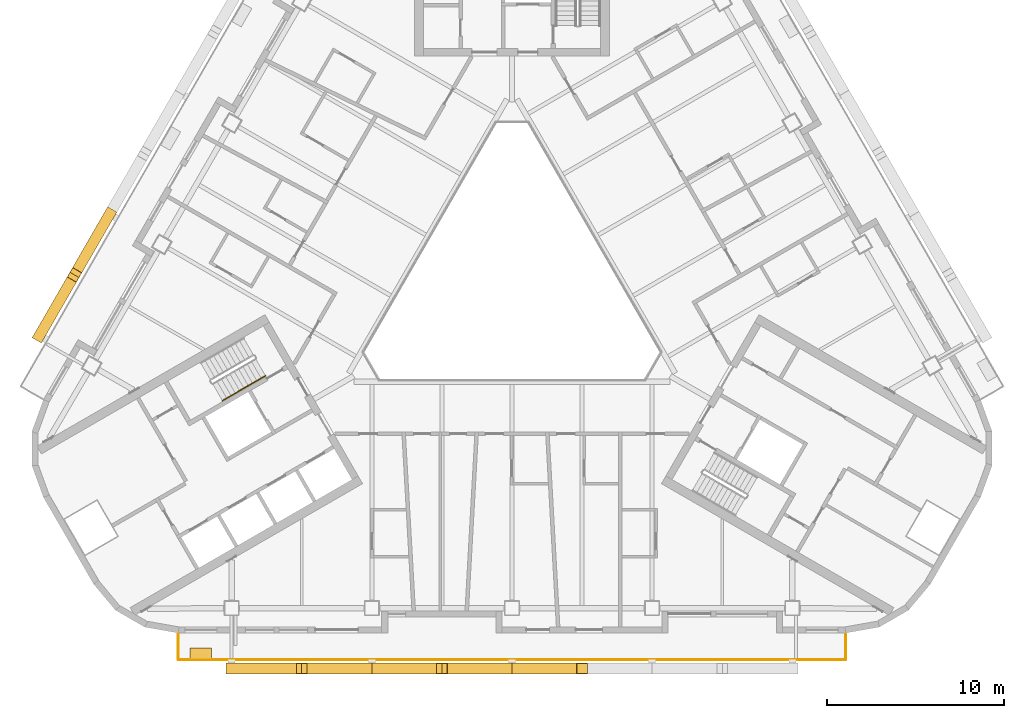
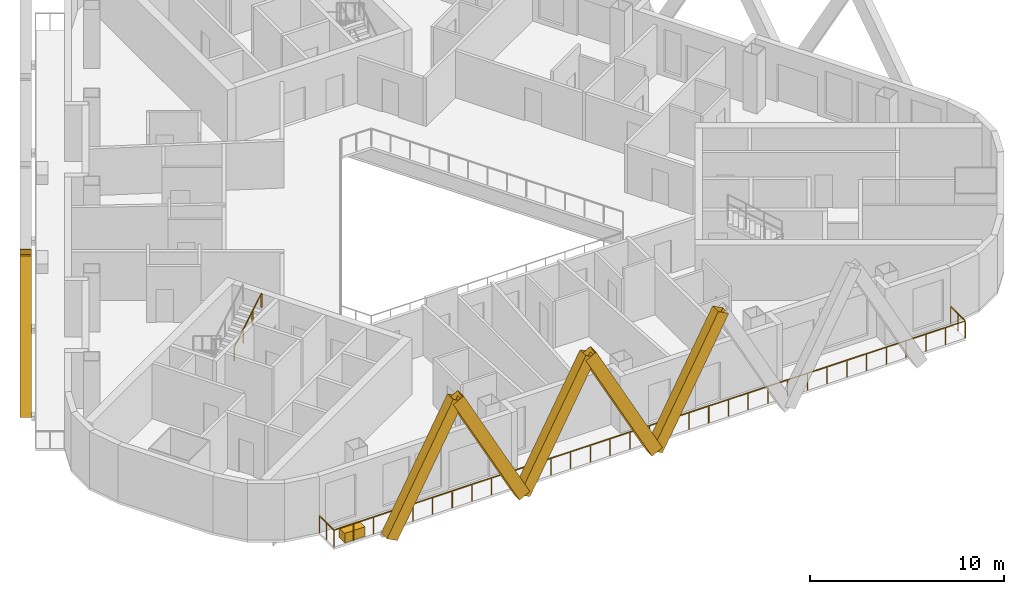
# One storey, part 12 of 17: 7 shading devices, 2 railings, 1 covering.
"""IFC4 building model written with IfcOpenShell, lengths in metres."""

from ifc_helpers import new_model, si_unit, direction, frame, origin, origin_2d, place, context, subcontext, project, spatial, rectangle, hollow_rectangle, circle, extrude, material, material_profile, profile_set, type_object, element, save


model = new_model("IFC4")

# Units and contexts
model_context = context("Model", 3, precision=1e-05, world=origin(), true_north=direction((0.0, 1.0)))
body_context = subcontext(model_context, "Body", "Model", "MODEL_VIEW")
ifc_project = project(units=[si_unit("LENGTHUNIT", "METRE"), si_unit("AREAUNIT", "SQUARE_METRE"), si_unit("VOLUMEUNIT", "CUBIC_METRE"), si_unit("PLANEANGLEUNIT", "RADIAN"), si_unit("MASSUNIT", "GRAM", prefix="KILO")], contexts=[model_context])

# Site, building, storey
site_placement = place(None, origin())
site = spatial("IfcSite", under=ifc_project, at=site_placement, CompositionType="ELEMENT")
building_placement = place(site_placement, origin())
building = spatial("IfcBuilding", under=site, at=building_placement, Name="Apuvela Tower Hotel", CompositionType="ELEMENT")
storey_placement = place(building_placement, frame((0.0, 0.0, 146.60009765625)))
storey = spatial("IfcBuildingStorey", under=building, at=storey_placement, Name="L34", CompositionType="ELEMENT", Elevation=146.60009765625)

# Railing
ifc_material_1 = material(Name="Stainless steel 316 handrail", Category="steel")
railing_type_1 = type_object("IfcRailingType", Name="COR-HANDRAIL-900", PredefinedType="HANDRAIL", material=ifc_material_1)
railing_1_placement = place(storey_placement, frame((-16.31884765625, -6.534912109375, 2.01806640625)))
element("IfcRailing", 1, at=railing_1_placement, inside=storey, type_object=railing_type_1, Name="L34 ST2 stair handrail 2", PredefinedType="HANDRAIL", context=body_context, shape_type="SweptSolid", body=[
    extrude(circle(Radius=0.02392578125, at=origin_2d()), frame((0.0, 0.0, 0.8759765625), z_axis=(0.742390482028, 0.42860119049, 0.514934356695), x_axis=(-0.49998411664, 0.866034573852, 0.0)), (0.0, 0.0, 1.0), 3.26611328125),
    extrude(rectangle(XDim=0.0419921875, YDim=0.0419921875, at=origin_2d()), origin(), (0.0, 0.0, 1.0), 0.851806640625),
    extrude(rectangle(XDim=0.0419921875, YDim=0.0419921875, at=origin_2d()), frame((0.808349609375, 0.466552734375, 0.560546875)), (0.0, 0.0, 1.0), 0.851806640625),
    extrude(rectangle(XDim=0.0419921875, YDim=0.0419921875, at=origin_2d()), frame((1.616455078125, 0.933349609375, 1.121337890625)), (0.0, 0.0, 1.0), 0.851806640625),
    extrude(rectangle(XDim=0.0419921875, YDim=0.0419921875, at=origin_2d()), frame((2.4248046875, 1.39990234375, 1.681884765625)), (0.0, 0.0, 1.0), 0.851806640625),
])

# Shading devices
ifc_material_2 = material(Name="Aluminium 6063-T6, black anodised", Category="aluminium")
ifc_material_profile = material_profile(ifc_material_2, hollow_rectangle(XDim=0.60009765625, YDim=0.699951171875, WallThickness=0.011962890625, at=origin_2d()), Name="AL BOX 700x600x12")
ifc_profile_set = profile_set([ifc_material_profile], Name="Aluminium 6063-T6, black anodised")
shading_device_type = type_object("IfcShadingDeviceType", Name="ENV-FIN-700x600", PredefinedType="USERDEFINED", material=ifc_profile_set)
for number, where, z_axis, x_axis, name in (
    (2, (-15.800048828125, -21.6298828125, -0.10009765625), (0.470897892863, 0.0, 0.882187720668), (0.0, 1.0, 0.0), "Lattice fin S289"),
    (3, (-7.89990234375, -21.6298828125, -0.10009765625), (-0.470920543904, 0.0, 0.882175629526), (0.0, -1.0, 0.0), "Lattice fin S290"),
    (4, (-7.89990234375, -21.6298828125, -0.10009765625), (0.470897892863, 0.0, 0.882187720668), (0.0, 1.0, 0.0), "Lattice fin S291"),
    (5, (0.0, -21.6298828125, -0.10009765625), (-0.470897892863, 0.0, 0.882187720668), (0.0, -1.0, 0.0), "Lattice fin S292"),
    (6, (0.0, -21.6298828125, -0.10009765625), (0.470897892863, 0.0, 0.882187720668), (0.0, 1.0, 0.0), "Lattice fin S293"),
    (7, (-22.68212890625, 3.973388671875, -0.10009765625), (-0.235433593518, -0.407824887177, 0.882184722404), (0.866047669374, -0.499961432884, 0.0), "Lattice fin NW391"),
    (8, (-26.632080078125, -2.8681640625, -0.10009765625), (0.235463880167, 0.407797827568, 0.882189148067), (-0.866005453737, 0.500034552904, 0.0), "Lattice fin NW392"),
):
    element("IfcShadingDevice", number, at=place(storey_placement, frame(where, z_axis=z_axis, x_axis=x_axis)), inside=storey, type_object=shading_device_type, Name=name, ObjectType="FIN", PredefinedType="USERDEFINED", context=body_context, shape_type="SweptSolid", body=[
        extrude(hollow_rectangle(XDim=0.60009765625, YDim=0.699951171875, WallThickness=0.011962890625, at=origin_2d()), origin(), (0.0, 0.0, 1.0), 8.38818359375),
    ])

# Railing
ifc_material_3 = material(Name="Stainless steel 316 rail with laminated glass infill", Category="steel")
railing_type_2 = type_object("IfcRailingType", Name="ENV-GUARD-1100", PredefinedType="GUARDRAIL", material=ifc_material_3)
railing_2_placement = place(storey_placement, frame((-18.81591796875, -19.6298828125, 0.0)))
element("IfcRailing", 9, at=railing_2_placement, inside=storey, type_object=railing_type_2, Name="Balcony guard S L34", PredefinedType="GUARDRAIL", context=body_context, shape_type="SweptSolid", body=[
    extrude(rectangle(XDim=0.050048828125, YDim=0.050048828125, at=origin_2d()), frame((0.0, 0.0, 1.0751953125), z_axis=(0.0, -1.0, 0.0), x_axis=(1.0, 0.0, 0.0)), (0.0, 0.0, 1.0), 1.5),
    extrude(rectangle(XDim=0.050048828125, YDim=0.050048828125, at=origin_2d()), frame((0.0, -1.5, 1.0751953125), z_axis=(1.0, 0.0, 0.0), x_axis=(0.0, 1.0, 0.0)), (0.0, 0.0, 1.0), 37.6318359375),
    extrude(rectangle(XDim=0.050048828125, YDim=0.050048828125, at=origin_2d()), frame((37.6318359375, -1.5, 1.0751953125), z_axis=(0.0, 1.0, 0.0), x_axis=(-1.0, 0.0, 0.0)), (0.0, 0.0, 1.0), 1.5),
    extrude(rectangle(XDim=0.0400390625, YDim=0.0400390625, at=origin_2d()), origin(), (0.0, 0.0, 1.0), 1.050048828125),
    extrude(rectangle(XDim=0.0400390625, YDim=0.0400390625, at=origin_2d()), frame((0.0, -0.75, 0.0)), (0.0, 0.0, 1.0), 1.050048828125),
    extrude(rectangle(XDim=0.0400390625, YDim=0.0400390625, at=origin_2d()), frame((0.0, -1.5, 0.0)), (0.0, 0.0, 1.0), 1.050048828125),
    extrude(rectangle(XDim=0.0400390625, YDim=0.0400390625, at=origin_2d()), frame((1.176025390625, -1.5, 0.0)), (0.0, 0.0, 1.0), 1.050048828125),
    extrude(rectangle(XDim=0.0400390625, YDim=0.0400390625, at=origin_2d()), frame((2.35205078125, -1.5, 0.0)), (0.0, 0.0, 1.0), 1.050048828125),
    extrude(rectangle(XDim=0.0400390625, YDim=0.0400390625, at=origin_2d()), frame((3.528076171875, -1.5, 0.0)), (0.0, 0.0, 1.0), 1.050048828125),
    extrude(rectangle(XDim=0.0400390625, YDim=0.0400390625, at=origin_2d()), frame((4.7041015625, -1.5, 0.0)), (0.0, 0.0, 1.0), 1.050048828125),
    extrude(rectangle(XDim=0.0400390625, YDim=0.0400390625, at=origin_2d()), frame((5.8798828125, -1.5, 0.0)), (0.0, 0.0, 1.0), 1.050048828125),
    extrude(rectangle(XDim=0.0400390625, YDim=0.0400390625, at=origin_2d()), frame((7.055908203125, -1.5, 0.0)), (0.0, 0.0, 1.0), 1.050048828125),
    extrude(rectangle(XDim=0.0400390625, YDim=0.0400390625, at=origin_2d()), frame((8.23193359375, -1.5, 0.0)), (0.0, 0.0, 1.0), 1.050048828125),
    extrude(rectangle(XDim=0.0400390625, YDim=0.0400390625, at=origin_2d()), frame((9.407958984375, -1.5, 0.0)), (0.0, 0.0, 1.0), 1.050048828125),
    extrude(rectangle(XDim=0.0400390625, YDim=0.0400390625, at=origin_2d()), frame((10.583984375, -1.5, 0.0)), (0.0, 0.0, 1.0), 1.050048828125),
    extrude(rectangle(XDim=0.0400390625, YDim=0.0400390625, at=origin_2d()), frame((11.760009765625, -1.5, 0.0)), (0.0, 0.0, 1.0), 1.050048828125),
    extrude(rectangle(XDim=0.0400390625, YDim=0.0400390625, at=origin_2d()), frame((12.93603515625, -1.5, 0.0)), (0.0, 0.0, 1.0), 1.050048828125),
    extrude(rectangle(XDim=0.0400390625, YDim=0.0400390625, at=origin_2d()), frame((14.11181640625, -1.5, 0.0)), (0.0, 0.0, 1.0), 1.050048828125),
    extrude(rectangle(XDim=0.0400390625, YDim=0.0400390625, at=origin_2d()), frame((15.287841796875, -1.5, 0.0)), (0.0, 0.0, 1.0), 1.050048828125),
    extrude(rectangle(XDim=0.0400390625, YDim=0.0400390625, at=origin_2d()), frame((16.4638671875, -1.5, 0.0)), (0.0, 0.0, 1.0), 1.050048828125),
    extrude(rectangle(XDim=0.0400390625, YDim=0.0400390625, at=origin_2d()), frame((17.639892578125, -1.5, 0.0)), (0.0, 0.0, 1.0), 1.050048828125),
    extrude(rectangle(XDim=0.0400390625, YDim=0.0400390625, at=origin_2d()), frame((18.81591796875, -1.5, 0.0)), (0.0, 0.0, 1.0), 1.050048828125),
    extrude(rectangle(XDim=0.0400390625, YDim=0.0400390625, at=origin_2d()), frame((19.991943359375, -1.5, 0.0)), (0.0, 0.0, 1.0), 1.050048828125),
    extrude(rectangle(XDim=0.0400390625, YDim=0.0400390625, at=origin_2d()), frame((21.16796875, -1.5, 0.0)), (0.0, 0.0, 1.0), 1.050048828125),
    extrude(rectangle(XDim=0.0400390625, YDim=0.0400390625, at=origin_2d()), frame((22.343994140625, -1.5, 0.0)), (0.0, 0.0, 1.0), 1.050048828125),
    extrude(rectangle(XDim=0.0400390625, YDim=0.0400390625, at=origin_2d()), frame((23.52001953125, -1.5, 0.0)), (0.0, 0.0, 1.0), 1.050048828125),
    extrude(rectangle(XDim=0.0400390625, YDim=0.0400390625, at=origin_2d()), frame((24.69580078125, -1.5, 0.0)), (0.0, 0.0, 1.0), 1.050048828125),
    extrude(rectangle(XDim=0.0400390625, YDim=0.0400390625, at=origin_2d()), frame((25.871826171875, -1.5, 0.0)), (0.0, 0.0, 1.0), 1.050048828125),
    extrude(rectangle(XDim=0.0400390625, YDim=0.0400390625, at=origin_2d()), frame((27.0478515625, -1.5, 0.0)), (0.0, 0.0, 1.0), 1.050048828125),
    extrude(rectangle(XDim=0.0400390625, YDim=0.0400390625, at=origin_2d()), frame((28.223876953125, -1.5, 0.0)), (0.0, 0.0, 1.0), 1.050048828125),
    extrude(rectangle(XDim=0.0400390625, YDim=0.0400390625, at=origin_2d()), frame((29.39990234375, -1.5, 0.0)), (0.0, 0.0, 1.0), 1.050048828125),
    extrude(rectangle(XDim=0.0400390625, YDim=0.0400390625, at=origin_2d()), frame((30.575927734375, -1.5, 0.0)), (0.0, 0.0, 1.0), 1.050048828125),
    extrude(rectangle(XDim=0.0400390625, YDim=0.0400390625, at=origin_2d()), frame((31.751953125, -1.5, 0.0)), (0.0, 0.0, 1.0), 1.050048828125),
    extrude(rectangle(XDim=0.0400390625, YDim=0.0400390625, at=origin_2d()), frame((32.927734375, -1.5, 0.0)), (0.0, 0.0, 1.0), 1.050048828125),
    extrude(rectangle(XDim=0.0400390625, YDim=0.0400390625, at=origin_2d()), frame((34.103759765625, -1.5, 0.0)), (0.0, 0.0, 1.0), 1.050048828125),
    extrude(rectangle(XDim=0.0400390625, YDim=0.0400390625, at=origin_2d()), frame((35.27978515625, -1.5, 0.0)), (0.0, 0.0, 1.0), 1.050048828125),
    extrude(rectangle(XDim=0.0400390625, YDim=0.0400390625, at=origin_2d()), frame((36.455810546875, -1.5, 0.0)), (0.0, 0.0, 1.0), 1.050048828125),
    extrude(rectangle(XDim=0.0400390625, YDim=0.0400390625, at=origin_2d()), frame((37.6318359375, -1.5, 0.0)), (0.0, 0.0, 1.0), 1.050048828125),
    extrude(rectangle(XDim=0.0400390625, YDim=0.0400390625, at=origin_2d()), frame((37.6318359375, -0.75, 0.0)), (0.0, 0.0, 1.0), 1.050048828125),
    extrude(rectangle(XDim=0.0400390625, YDim=0.0400390625, at=origin_2d()), frame((37.6318359375, 0.0, 0.0)), (0.0, 0.0, 1.0), 1.050048828125),
])

# Covering
ifc_material_4 = material(Name="Planting substrate and soil, planted")
covering_type = type_object("IfcCoveringType", Name="ENV-PLANTER-1200x600", PredefinedType="USERDEFINED", material=ifc_material_4)
covering_placement = place(storey_placement, frame((-17.53515625, -20.780029296875, -0.000244140625), z_axis=(0.0, 0.0, 1.0), x_axis=(1.0, 0.0, 0.0)))
element("IfcCovering", 10, at=covering_placement, inside=storey, type_object=covering_type, Name="Planter S1", ObjectType="PLANTER", PredefinedType="USERDEFINED", context=body_context, shape_type="SweptSolid", body=[
    extrude(rectangle(XDim=1.199951171875, YDim=0.60009765625, at=origin_2d()), origin(), (0.0, 0.0, 1.0), 0.60009765625),
])

save(model, "model.ifc")
